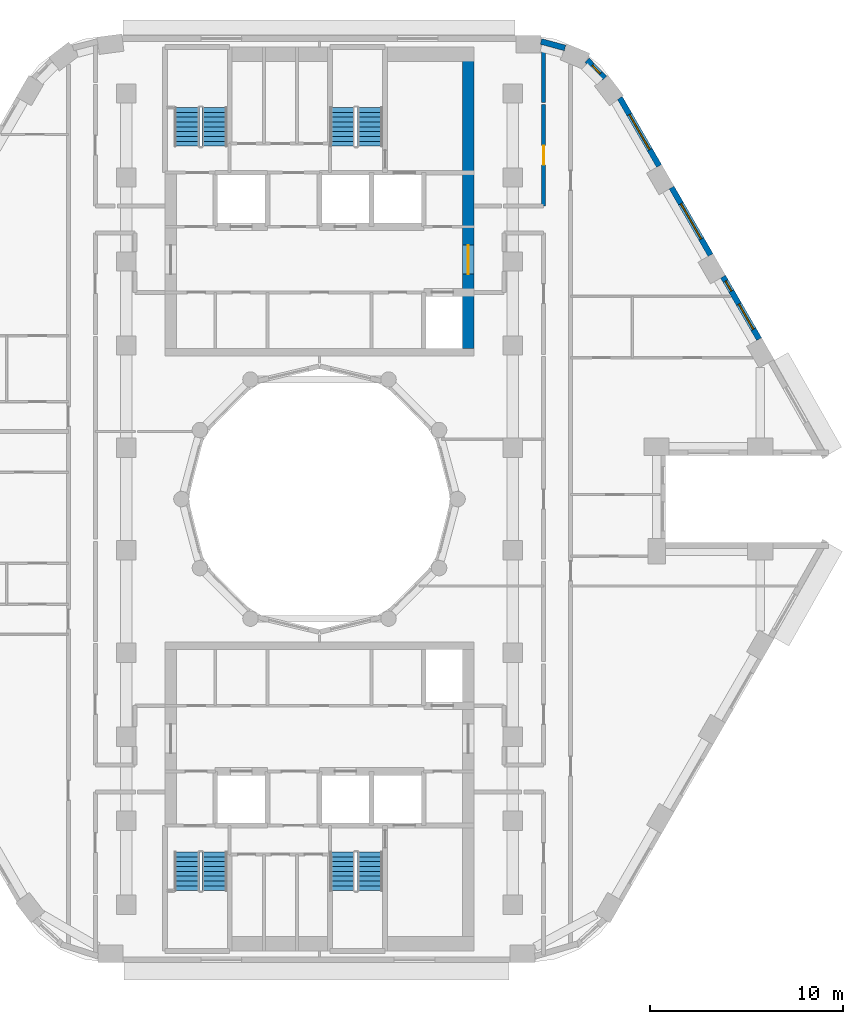
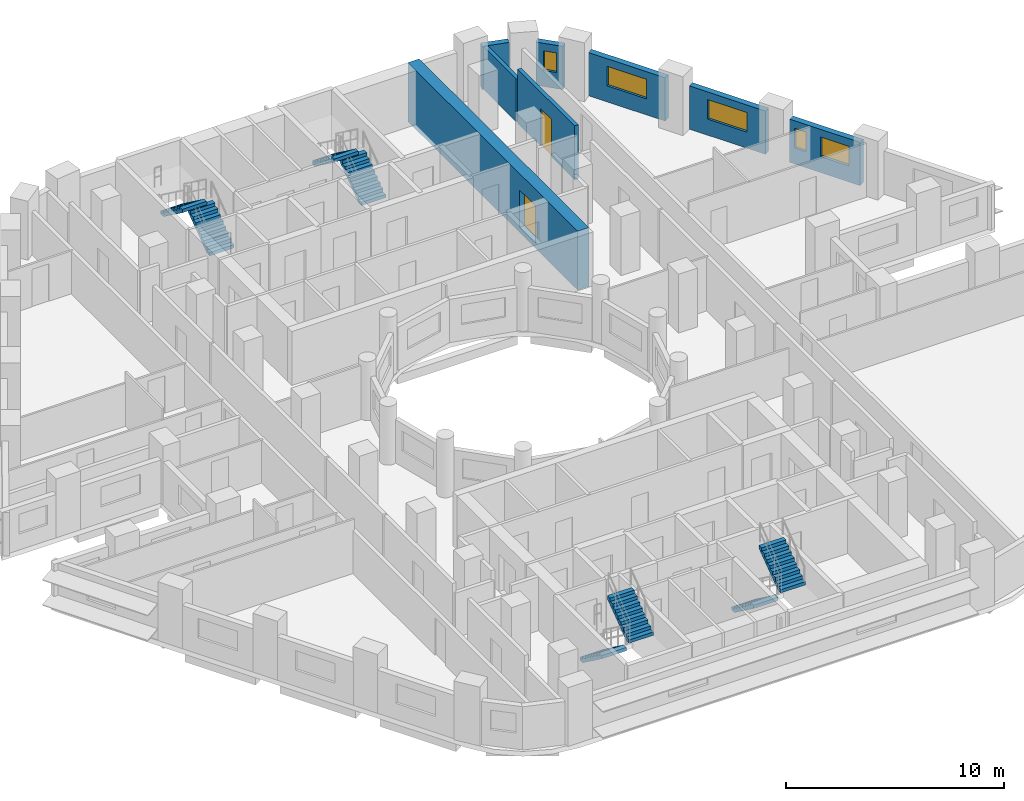
# One storey, part 9 of 13: 8 stair flights, 8 walls, 5 windows, 2 doors, 7 openings, 4 elements without a shape of their own.
"""IFC4 building model written with IfcOpenShell, lengths in metres."""

from ifc_helpers import new_model, si_unit, direction, frame, frame_2d, origin, place, context, subcontext, project, spatial, polyline, rectangle, outline, extrude, material, layer, layer_set, type_object, element, fill, aggregate, save


model = new_model("IFC4")

# Units and contexts
model_context = context("Model", 3, precision=1e-05, world=origin(), true_north=direction((0.0, 1.0)))
body_context = subcontext(model_context, "Body", "Model", "MODEL_VIEW")
ifc_project = project(units=[si_unit("LENGTHUNIT", "METRE"), si_unit("AREAUNIT", "SQUARE_METRE"), si_unit("VOLUMEUNIT", "CUBIC_METRE"), si_unit("PLANEANGLEUNIT", "RADIAN"), si_unit("MASSUNIT", "GRAM", prefix="KILO")], contexts=[model_context])

# Site, building, storey
site_placement = place(None, origin())
site = spatial("IfcSite", under=ifc_project, at=site_placement, CompositionType="ELEMENT")
building_placement = place(site_placement, origin())
building = spatial("IfcBuilding", under=site, at=building_placement, Name="Nakaniwa Court", CompositionType="ELEMENT")
storey_placement = place(building_placement, frame((0.0, 0.0, 140.39990234375)))
storey = spatial("IfcBuildingStorey", under=building, at=storey_placement, Name="L36", CompositionType="ELEMENT", Elevation=140.39990234375)

# Wall, opening, door
ifc_material_1 = material(Name="Acoustic double stud partition")
ifc_layer_1 = layer(ifc_material_1, 0.199951171875)
ifc_layer_set_1 = layer_set([ifc_layer_1], Name="Acoustic double stud partition")
wall_type_1 = type_object("IfcWallType", Name="Acoustic double stud partition 200", PredefinedType="PARTITIONING", material=ifc_layer_set_1)
wall_1_placement = place(storey_placement, frame((91.60009765625, 95.175048828125, 0.0), z_axis=(0.0, 0.0, 1.0), x_axis=(0.0, 1.0, 0.0)))
wall_1 = element("IfcWall", 1, at=wall_1_placement, inside=storey, type_object=wall_type_1, Name="Partition PW-077", PredefinedType="PARTITIONING", context=body_context, shape_type="SweptSolid", body=[
    extrude(rectangle(XDim=5.247802734375, YDim=0.199951171875, at=frame_2d((2.6240234375, 0.0))), origin(), (0.0, 0.0, 1.0), 3.025146484375),
])
opening_1_placement = place(wall_1_placement, frame((2.123046875, 0.0, 0.0)))
opening_1 = element("IfcOpeningElement", 2, at=opening_1_placement, cuts=wall_1, Name="Opening D-02-11", PredefinedType="OPENING", context=body_context, shape_type="SweptSolid", body=[
    extrude(rectangle(XDim=1.0, YDim=2.10009765625, at=frame_2d((0.5, 1.050048828125))), frame((0.0, 0.10986328125, 0.0), z_axis=(0.0, -1.0, 0.0), x_axis=(1.0, 0.0, 0.0)), (0.0, 0.0, 1.0), 0.219970703125),
])
ifc_material_2 = material(Name="Solid core timber door set, black veneer", Category="wood")
door_type_1 = type_object("IfcDoorType", Name="Internal door 1000", OperationType="NOTDEFINED", PredefinedType="DOOR", material=ifc_material_2)
door_1_placement = place(opening_1_placement, origin())
door_1 = element("IfcDoor", 3, at=door_1_placement, inside=storey, type_object=door_type_1, Name="Door D-02-11 L36-052", OperationType="SINGLE_SWING_LEFT", OverallHeight=2.10009765625, OverallWidth=1.0, PredefinedType="DOOR", context=body_context, shape_type="SweptSolid", body=[
    extrude(rectangle(XDim=1.0, YDim=2.10009765625, at=frame_2d((0.5, 1.050048828125))), frame((0.0, 0.02490234375, 0.0), z_axis=(0.0, -1.0, 0.0), x_axis=(1.0, 0.0, 0.0)), (0.0, 0.0, 1.0), 0.050048828125),
])
fill(opening_1, door_1)

# Wall
wall_2_placement = place(storey_placement, frame((91.60009765625, 100.537109375, 0.0), z_axis=(0.0, 0.0, 1.0), x_axis=(0.0, 1.0, 0.0)))
element("IfcWall", 4, at=wall_2_placement, inside=storey, type_object=wall_type_1, Name="Partition PW-078", PredefinedType="PARTITIONING", context=body_context, shape_type="SweptSolid", body=[
    extrude(rectangle(XDim=3.06201171875, YDim=0.199951171875, at=frame_2d((1.531005859375, 0.0))), origin(), (0.0, 0.0, 1.0), 2.405029296875),
])

# Wall, openings, windows
ifc_material_3 = material(Name="Charcoal ceramic cladding")
ifc_layer_2 = layer(ifc_material_3, 0.02, Name="Ceramic cladding")
ifc_material_4 = material(Name="Ventilated air cavity")
ifc_layer_3 = layer(ifc_material_4, 0.04, ventilated=True, Name="Ventilated cavity")
ifc_material_5 = material(Name="Mineral wool insulation")
ifc_layer_4 = layer(ifc_material_5, 0.1, Name="Insulation")
ifc_material_6 = material(Name="Cement bonded sheathing board")
ifc_layer_5 = layer(ifc_material_6, 0.012, Name="Sheathing")
ifc_material_7 = material(Name="Cold-formed galvanised stud frame with mineral wool infill")
ifc_layer_6 = layer(ifc_material_7, 0.1, Name="Stud frame")
ifc_material_8 = material(Name="Fire-rated gypsum plasterboard lining")
ifc_layer_7 = layer(ifc_material_8, 0.028, Name="Lining")
ifc_layer_set_2 = layer_set([ifc_layer_2, ifc_layer_3, ifc_layer_4, ifc_layer_5, ifc_layer_6, ifc_layer_7], Name="Charcoal ceramic faced external wall system")
wall_type_2 = type_object("IfcWallType", Name="Black ceramic faced external wall 300", PredefinedType="SOLIDWALL", material=ifc_layer_set_2)
wall_3_placement = place(storey_placement, frame((102.759521484375, 88.279052734375, 0.0), z_axis=(0.0, 0.0, 1.0), x_axis=(-0.499933594891, 0.866063739398, 0.0)))
wall_3 = element("IfcWall", 5, at=wall_3_placement, inside=storey, type_object=wall_type_2, Name="L36 external wall 03", PredefinedType="SOLIDWALL", context=body_context, shape_type="SweptSolid", body=[
    extrude(rectangle(XDim=3.73681640625, YDim=0.300048828125, at=frame_2d((1.868408203125, 0.0))), origin(), (0.0, 0.0, 1.0), 2.425048828125),
])
opening_2_placement = place(wall_3_placement, frame((0.59326171875, 0.0, 0.89990234375)))
opening_2 = element("IfcOpeningElement", 6, at=opening_2_placement, cuts=wall_3, Name="Opening W5.04", PredefinedType="OPENING", context=body_context, shape_type="SweptSolid", body=[
    extrude(rectangle(XDim=1.5, YDim=1.10009765625, at=frame_2d((0.75, 0.550048828125))), frame((0.0, 0.159912109375, 0.0), z_axis=(0.0, -1.0, 0.0), x_axis=(1.0, 0.0, 0.0)), (0.0, 0.0, 1.0), 0.320068359375),
])
opening_3_placement = place(wall_3_placement, frame((2.874755859375, 0.0, 0.89990234375)))
opening_3 = element("IfcOpeningElement", 7, at=opening_3_placement, cuts=wall_3, Name="Opening W8.05", PredefinedType="OPENING", context=body_context, shape_type="SweptSolid", body=[
    extrude(rectangle(XDim=0.60009765625, YDim=1.10009765625, at=frame_2d((0.300048828125, 0.550048828125))), frame((0.0, 0.159912109375, 0.0), z_axis=(0.0, -1.0, 0.0), x_axis=(1.0, 0.0, 0.0)), (0.0, 0.0, 1.0), 0.320068359375),
])
ifc_material_9 = material(Name="Black anodised aluminium frame with dark low-E laminated double glazing", Category="aluminium")
window_type_1 = type_object("IfcWindowType", Name="Dark glass window 1500x1100 sill 900", PartitioningType="SINGLE_PANEL", PredefinedType="WINDOW", material=ifc_material_9)
window_1_placement = place(opening_2_placement, origin())
window_1 = element("IfcWindow", 8, at=window_1_placement, inside=storey, type_object=window_type_1, Name="L36 habitable room window 03-0", OverallHeight=1.10009765625, OverallWidth=1.5, PartitioningType="SINGLE_PANEL", PredefinedType="WINDOW", context=body_context, shape_type="SweptSolid", body=[
    extrude(rectangle(XDim=1.5, YDim=1.10009765625, at=frame_2d((0.75, 0.550048828125))), frame((0.0, 0.030029296875, 0.0), z_axis=(0.0, -1.0, 0.0), x_axis=(1.0, 0.0, 0.0)), (0.0, 0.0, 1.0), 0.06005859375),
])
fill(opening_2, window_1)
window_type_2 = type_object("IfcWindowType", Name="Dark glass window 600x1100 sill 900", PartitioningType="SINGLE_PANEL", PredefinedType="WINDOW", material=ifc_material_9)
window_2_placement = place(opening_3_placement, origin())
window_2 = element("IfcWindow", 9, at=window_2_placement, inside=storey, type_object=window_type_2, Name="L36 habitable room window 03-1", OverallHeight=1.10009765625, OverallWidth=0.60009765625, PartitioningType="SINGLE_PANEL", PredefinedType="WINDOW", context=body_context, shape_type="SweptSolid", body=[
    extrude(rectangle(XDim=0.60009765625, YDim=1.10009765625, at=frame_2d((0.300048828125, 0.550048828125))), frame((0.0, 0.030029296875, 0.0), z_axis=(0.0, -1.0, 0.0), x_axis=(1.0, 0.0, 0.0)), (0.0, 0.0, 1.0), 0.06005859375),
])
fill(opening_3, window_2)

# Wall, opening, window
wall_4_placement = place(storey_placement, frame((100.245361328125, 92.63427734375, 0.0), z_axis=(0.0, 0.0, 1.0), x_axis=(-0.500031546601, 0.86600718958, 0.0)))
wall_4 = element("IfcWall", 10, at=wall_4_placement, inside=storey, type_object=wall_type_2, Name="L36 external wall 04", PredefinedType="SOLIDWALL", context=body_context, shape_type="SweptSolid", body=[
    extrude(rectangle(XDim=4.033935546875, YDim=0.300048828125, at=frame_2d((2.01708984375, 0.0))), origin(), (0.0, 0.0, 1.0), 2.425048828125),
])
opening_4_placement = place(wall_4_placement, frame((0.966796875, 0.0, 0.89990234375)))
opening_4 = element("IfcOpeningElement", 11, at=opening_4_placement, cuts=wall_4, Name="Opening W7.06", PredefinedType="OPENING", context=body_context, shape_type="SweptSolid", body=[
    extrude(rectangle(XDim=2.10009765625, YDim=1.10009765625, at=frame_2d((1.050048828125, 0.550048828125))), frame((0.0, 0.159912109375, 0.0), z_axis=(0.0, -1.0, 0.0), x_axis=(1.0, 0.0, 0.0)), (0.0, 0.0, 1.0), 0.320068359375),
])
window_type_3 = type_object("IfcWindowType", Name="Dark glass window 2100x1100 sill 900", PartitioningType="SINGLE_PANEL", PredefinedType="WINDOW", material=ifc_material_9)
window_3_placement = place(opening_4_placement, origin())
window_3 = element("IfcWindow", 12, at=window_3_placement, inside=storey, type_object=window_type_3, Name="L36 habitable room window 04-0", OverallHeight=1.10009765625, OverallWidth=2.10009765625, PartitioningType="SINGLE_PANEL", PredefinedType="WINDOW", context=body_context, shape_type="SweptSolid", body=[
    extrude(rectangle(XDim=2.10009765625, YDim=1.10009765625, at=frame_2d((1.050048828125, 0.550048828125))), frame((0.0, 0.030029296875, 0.0), z_axis=(0.0, -1.0, 0.0), x_axis=(1.0, 0.0, 0.0)), (0.0, 0.0, 1.0), 0.06005859375),
])
fill(opening_4, window_3)

wall_5_placement = place(storey_placement, frame((97.582275390625, 97.24658203125, 0.0), z_axis=(0.0, 0.0, 1.0), x_axis=(-0.500018589245, 0.866014671013, 0.0)))
wall_5 = element("IfcWall", 13, at=wall_5_placement, inside=storey, type_object=wall_type_2, Name="L36 external wall 05", PredefinedType="SOLIDWALL", context=body_context, shape_type="SweptSolid", body=[
    extrude(rectangle(XDim=4.067626953125, YDim=0.300048828125, at=frame_2d((2.03369140625, 0.0))), origin(), (0.0, 0.0, 1.0), 2.425048828125),
])
opening_5_placement = place(wall_5_placement, frame((0.97265625, 0.0, 0.89990234375)))
opening_5 = element("IfcOpeningElement", 14, at=opening_5_placement, cuts=wall_5, Name="Opening W7.07", PredefinedType="OPENING", context=body_context, shape_type="SweptSolid", body=[
    extrude(rectangle(XDim=2.10009765625, YDim=1.10009765625, at=frame_2d((1.050048828125, 0.550048828125))), frame((0.0, 0.159912109375, 0.0), z_axis=(0.0, -1.0, 0.0), x_axis=(1.0, 0.0, 0.0)), (0.0, 0.0, 1.0), 0.320068359375),
])
window_4_placement = place(opening_5_placement, origin())
window_4 = element("IfcWindow", 15, at=window_4_placement, inside=storey, type_object=window_type_3, Name="L36 habitable room window 05-0", OverallHeight=1.10009765625, OverallWidth=2.10009765625, PartitioningType="SINGLE_PANEL", PredefinedType="WINDOW", context=body_context, shape_type="SweptSolid", body=[
    extrude(rectangle(XDim=2.10009765625, YDim=1.10009765625, at=frame_2d((1.050048828125, 0.550048828125))), frame((0.0, 0.030029296875, 0.0), z_axis=(0.0, -1.0, 0.0), x_axis=(1.0, 0.0, 0.0)), (0.0, 0.0, 1.0), 0.06005859375),
])
fill(opening_5, window_4)

wall_6_placement = place(storey_placement, frame((94.76318359375, 101.79541015625, 0.0), z_axis=(0.0, 0.0, 1.0), x_axis=(-0.697598997785, 0.716488407645, 0.0)))
wall_6 = element("IfcWall", 16, at=wall_6_placement, inside=storey, type_object=wall_type_2, Name="L36 external wall 06", PredefinedType="SOLIDWALL", context=body_context, shape_type="SweptSolid", body=[
    extrude(rectangle(XDim=1.305419921875, YDim=0.300048828125, at=frame_2d((0.65283203125, 0.0))), origin(), (0.0, 0.0, 1.0), 2.425048828125),
])
opening_6_placement = place(wall_6_placement, frame((0.328125, 0.0, 0.89990234375)))
opening_6 = element("IfcOpeningElement", 17, at=opening_6_placement, cuts=wall_6, Name="Opening W8.08", PredefinedType="OPENING", context=body_context, shape_type="SweptSolid", body=[
    extrude(rectangle(XDim=0.60009765625, YDim=1.10009765625, at=frame_2d((0.300048828125, 0.550048828125))), frame((0.0, 0.159912109375, 0.0), z_axis=(0.0, -1.0, 0.0), x_axis=(1.0, 0.0, 0.0)), (0.0, 0.0, 1.0), 0.320068359375),
])
window_5_placement = place(opening_6_placement, origin())
window_5 = element("IfcWindow", 18, at=window_5_placement, inside=storey, type_object=window_type_2, Name="L36 habitable room window 06-0", OverallHeight=1.10009765625, OverallWidth=0.60009765625, PartitioningType="SINGLE_PANEL", PredefinedType="WINDOW", context=body_context, shape_type="SweptSolid", body=[
    extrude(rectangle(XDim=0.60009765625, YDim=1.10009765625, at=frame_2d((0.300048828125, 0.550048828125))), frame((0.0, 0.030029296875, 0.0), z_axis=(0.0, -1.0, 0.0), x_axis=(1.0, 0.0, 0.0)), (0.0, 0.0, 1.0), 0.06005859375),
])
fill(opening_6, window_5)

# Wall
wall_7_placement = place(storey_placement, frame((92.712890625, 103.3564453125, 0.0), z_axis=(0.0, 0.0, 1.0), x_axis=(-0.965274225809, 0.26123872031, 0.0)))
element("IfcWall", 19, at=wall_7_placement, inside=storey, type_object=wall_type_2, Name="L36 external wall 07", PredefinedType="SOLIDWALL", context=body_context, shape_type="SweptSolid", body=[
    extrude(rectangle(XDim=1.286865234375, YDim=0.300048828125, at=frame_2d((0.6435546875, 0.0))), origin(), (0.0, 0.0, 1.0), 2.425048828125),
])

# Wall, opening, door
ifc_material_10 = material(Name="Concrete C80/100", Category="concrete")
ifc_layer_8 = layer(ifc_material_10, 0.60009765625)
ifc_layer_set_3 = layer_set([ifc_layer_8], Name="Concrete C80/100")
wall_type_3 = type_object("IfcWallType", Name="Concrete core side wall 600 C80", PredefinedType="SHEAR", material=ifc_layer_set_3)
wall_8_placement = place(storey_placement, frame((87.699951171875, 103.39990234375, -0.27490234375), z_axis=(0.0, 0.0, 1.0), x_axis=(0.0, -1.0, 0.0)))
wall_8 = element("IfcWall", 20, at=wall_8_placement, inside=storey, type_object=wall_type_3, Name="Core wall SW-07", PredefinedType="SHEAR", context=body_context, shape_type="SweptSolid", body=[
    extrude(rectangle(XDim=15.599853515625, YDim=0.60009765625, at=frame_2d((7.7998046875, 0.0))), origin(), (0.0, 0.0, 1.0), 3.300048828125),
])
opening_7_placement = place(wall_8_placement, frame((10.248046875, 0.0, 0.27490234375)))
opening_7 = element("IfcOpeningElement", 21, at=opening_7_placement, cuts=wall_8, Name="Opening D-07-01", PredefinedType="OPENING", context=body_context, shape_type="SweptSolid", body=[
    extrude(rectangle(XDim=1.5, YDim=2.10009765625, at=frame_2d((0.75, 1.050048828125))), frame((0.0, 0.31005859375, 0.0), z_axis=(0.0, -1.0, 0.0), x_axis=(1.0, 0.0, 0.0)), (0.0, 0.0, 1.0), 0.6201171875),
])
ifc_material_11 = material(Name="Glazed fire rated steel double door set", Category="steel")
door_type_2 = type_object("IfcDoorType", Name="Lobby double door 1500", OperationType="NOTDEFINED", PredefinedType="DOOR", material=ifc_material_11)
door_2_placement = place(opening_7_placement, origin())
door_2 = element("IfcDoor", 22, at=door_2_placement, inside=storey, type_object=door_type_2, Name="Door D-07-01 L36-054", OperationType="DOUBLE_DOOR_SINGLE_SWING", OverallHeight=2.10009765625, OverallWidth=1.5, PredefinedType="DOOR", context=body_context, shape_type="SweptSolid", body=[
    extrude(rectangle(XDim=1.5, YDim=2.10009765625, at=frame_2d((0.75, 1.050048828125))), frame((0.0, 0.02490234375, 0.0), z_axis=(0.0, -1.0, 0.0), x_axis=(1.0, 0.0, 0.0)), (0.0, 0.0, 1.0), 0.050048828125),
])
fill(opening_7, door_2)

# Stair, stair flights
stair_type = type_object("IfcStairType", Name="Dog leg stair 1300 wide 18 risers", PredefinedType="HALF_TURN_STAIR", material=ifc_material_10)
stair_1_placement = place(storey_placement, origin())
stair_1 = element("IfcStair", 23, at=stair_1_placement, inside=storey, type_object=stair_type, Name="L36 Stair ST1", PredefinedType="HALF_TURN_STAIR")
stair_flight_type = type_object("IfcStairFlightType", Name="Stair flight 1300 wide 9 risers", PredefinedType="STRAIGHT", material=ifc_material_10)
stair_flight_1_placement = place(storey_placement, frame((74.574951171875, 98.27490234375, 0.0), z_axis=(0.0, 0.0, 1.0), x_axis=(0.0, 1.0, 0.0)))
stair_flight_1 = element("IfcStairFlight", 24, at=stair_flight_1_placement, type_object=stair_flight_type, Name="ST1 flight 1", NumberOfRisers=9, NumberOfTreads=8, PredefinedType="STRAIGHT", RiserHeight=0.183333333, TreadLength=0.25, context=body_context, shape_type="SweptSolid", body=[
    extrude(outline(polyline([(0.0, 0.0), (0.0, 0.026123046875), (0.0, 0.052490234375), (0.0, 0.07861328125), (0.0, 0.104736328125), (0.0, 0.130859375), (0.0, 0.1572265625), (0.0, 0.183349609375), (0.25, 0.183349609375), (0.25, 0.36669921875), (0.5, 0.36669921875), (0.5, 0.550048828125), (0.75, 0.550048828125), (0.75, 0.7333984375), (1.0, 0.7333984375), (1.0, 0.916748046875), (1.25, 0.916748046875), (1.25, 1.10009765625), (1.5, 1.10009765625), (1.5, 1.283447265625), (1.75, 1.283447265625), (1.75, 1.466552734375), (2.0, 1.466552734375), (2.0, 1.64990234375), (2.0, 1.59716796875), (2.0, 1.54443359375), (2.0, 1.49169921875), (2.0, 1.43896484375), (2.0, 1.38623046875), (2.0, 1.33349609375), (2.0, 1.28076171875), (0.25341796875, 0.0), (0.0, 0.0)])), frame((0.0, 0.64990234375, 0.0), z_axis=(0.0, -1.0, 0.0), x_axis=(1.0, 0.0, 0.0)), (0.0, 0.0, 1.0), 1.300048828125),
])
stair_flight_2_placement = place(storey_placement, frame((73.125, 100.27490234375, 1.650146484375), z_axis=(0.0, 0.0, 1.0), x_axis=(0.0, -1.0, 0.0)))
stair_flight_2 = element("IfcStairFlight", 25, at=stair_flight_2_placement, type_object=stair_flight_type, Name="ST1 flight 2", NumberOfRisers=9, NumberOfTreads=8, PredefinedType="STRAIGHT", RiserHeight=0.183333333, TreadLength=0.25, context=body_context, shape_type="SweptSolid", body=[
    extrude(outline(polyline([(0.0, 0.0), (0.0, 0.026123046875), (0.0, 0.052490234375), (0.0, 0.07861328125), (0.0, 0.104736328125), (0.0, 0.130859375), (0.0, 0.1572265625), (0.0, 0.183349609375), (0.25, 0.183349609375), (0.25, 0.36669921875), (0.5, 0.36669921875), (0.5, 0.550048828125), (0.75, 0.550048828125), (0.75, 0.7333984375), (1.0, 0.7333984375), (1.0, 0.916748046875), (1.25, 0.916748046875), (1.25, 1.10009765625), (1.5, 1.10009765625), (1.5, 1.283447265625), (1.75, 1.283447265625), (1.75, 1.466552734375), (2.0, 1.466552734375), (2.0, 1.64990234375), (2.0, 1.59716796875), (2.0, 1.54443359375), (2.0, 1.49169921875), (2.0, 1.43896484375), (2.0, 1.38623046875), (2.0, 1.33349609375), (2.0, 1.28076171875), (0.25341796875, 0.0), (0.0, 0.0)])), frame((0.0, 0.64990234375, 0.0), z_axis=(0.0, -1.0, 0.0), x_axis=(1.0, 0.0, 0.0)), (0.0, 0.0, 1.0), 1.300048828125),
])
aggregate(stair_1, [stair_flight_1, stair_flight_2])

stair_2_placement = place(storey_placement, origin())
stair_2 = element("IfcStair", 26, at=stair_2_placement, inside=storey, type_object=stair_type, Name="L36 Stair ST2", PredefinedType="HALF_TURN_STAIR")
stair_flight_3_placement = place(storey_placement, frame((82.625, 98.27490234375, 0.0), z_axis=(0.0, 0.0, 1.0), x_axis=(0.0, 1.0, 0.0)))
stair_flight_3 = element("IfcStairFlight", 27, at=stair_flight_3_placement, type_object=stair_flight_type, Name="ST2 flight 1", NumberOfRisers=9, NumberOfTreads=8, PredefinedType="STRAIGHT", RiserHeight=0.183333333, TreadLength=0.25, context=body_context, shape_type="SweptSolid", body=[
    extrude(outline(polyline([(0.0, 0.0), (0.0, 0.026123046875), (0.0, 0.052490234375), (0.0, 0.07861328125), (0.0, 0.104736328125), (0.0, 0.130859375), (0.0, 0.1572265625), (0.0, 0.183349609375), (0.25, 0.183349609375), (0.25, 0.36669921875), (0.5, 0.36669921875), (0.5, 0.550048828125), (0.75, 0.550048828125), (0.75, 0.7333984375), (1.0, 0.7333984375), (1.0, 0.916748046875), (1.25, 0.916748046875), (1.25, 1.10009765625), (1.5, 1.10009765625), (1.5, 1.283447265625), (1.75, 1.283447265625), (1.75, 1.466552734375), (2.0, 1.466552734375), (2.0, 1.64990234375), (2.0, 1.59716796875), (2.0, 1.54443359375), (2.0, 1.49169921875), (2.0, 1.43896484375), (2.0, 1.38623046875), (2.0, 1.33349609375), (2.0, 1.28076171875), (0.25341796875, 0.0), (0.0, 0.0)])), frame((0.0, 0.64990234375, 0.0), z_axis=(0.0, -1.0, 0.0), x_axis=(1.0, 0.0, 0.0)), (0.0, 0.0, 1.0), 1.300048828125),
])
stair_flight_4_placement = place(storey_placement, frame((81.175048828125, 100.27490234375, 1.650146484375), z_axis=(0.0, 0.0, 1.0), x_axis=(0.0, -1.0, 0.0)))
stair_flight_4 = element("IfcStairFlight", 28, at=stair_flight_4_placement, type_object=stair_flight_type, Name="ST2 flight 2", NumberOfRisers=9, NumberOfTreads=8, PredefinedType="STRAIGHT", RiserHeight=0.183333333, TreadLength=0.25, context=body_context, shape_type="SweptSolid", body=[
    extrude(outline(polyline([(0.0, 0.0), (0.0, 0.026123046875), (0.0, 0.052490234375), (0.0, 0.07861328125), (0.0, 0.104736328125), (0.0, 0.130859375), (0.0, 0.1572265625), (0.0, 0.183349609375), (0.25, 0.183349609375), (0.25, 0.36669921875), (0.5, 0.36669921875), (0.5, 0.550048828125), (0.75, 0.550048828125), (0.75, 0.7333984375), (1.0, 0.7333984375), (1.0, 0.916748046875), (1.25, 0.916748046875), (1.25, 1.10009765625), (1.5, 1.10009765625), (1.5, 1.283447265625), (1.75, 1.283447265625), (1.75, 1.466552734375), (2.0, 1.466552734375), (2.0, 1.64990234375), (2.0, 1.59716796875), (2.0, 1.54443359375), (2.0, 1.49169921875), (2.0, 1.43896484375), (2.0, 1.38623046875), (2.0, 1.33349609375), (2.0, 1.28076171875), (0.25341796875, 0.0), (0.0, 0.0)])), frame((0.0, 0.64990234375, 0.0), z_axis=(0.0, -1.0, 0.0), x_axis=(1.0, 0.0, 0.0)), (0.0, 0.0, 1.0), 1.300048828125),
])
aggregate(stair_2, [stair_flight_3, stair_flight_4])

stair_3_placement = place(storey_placement, origin())
stair_3 = element("IfcStair", 29, at=stair_3_placement, inside=storey, type_object=stair_type, Name="L36 Stair ST3", PredefinedType="HALF_TURN_STAIR")
stair_flight_5_placement = place(storey_placement, frame((73.125, 61.72509765625, 0.0), z_axis=(0.0, 0.0, 1.0), x_axis=(0.0, -1.0, 0.0)))
stair_flight_5 = element("IfcStairFlight", 30, at=stair_flight_5_placement, type_object=stair_flight_type, Name="ST3 flight 1", NumberOfRisers=9, NumberOfTreads=8, PredefinedType="STRAIGHT", RiserHeight=0.183333333, TreadLength=0.25, context=body_context, shape_type="SweptSolid", body=[
    extrude(outline(polyline([(0.0, 0.0), (0.0, 0.026123046875), (0.0, 0.052490234375), (0.0, 0.07861328125), (0.0, 0.104736328125), (0.0, 0.130859375), (0.0, 0.1572265625), (0.0, 0.183349609375), (0.25, 0.183349609375), (0.25, 0.36669921875), (0.5, 0.36669921875), (0.5, 0.550048828125), (0.75, 0.550048828125), (0.75, 0.7333984375), (1.0, 0.7333984375), (1.0, 0.916748046875), (1.25, 0.916748046875), (1.25, 1.10009765625), (1.5, 1.10009765625), (1.5, 1.283447265625), (1.75, 1.283447265625), (1.75, 1.466552734375), (2.0, 1.466552734375), (2.0, 1.64990234375), (2.0, 1.59716796875), (2.0, 1.54443359375), (2.0, 1.49169921875), (2.0, 1.43896484375), (2.0, 1.38623046875), (2.0, 1.33349609375), (2.0, 1.28076171875), (0.25341796875, 0.0), (0.0, 0.0)])), frame((0.0, 0.64990234375, 0.0), z_axis=(0.0, -1.0, 0.0), x_axis=(1.0, 0.0, 0.0)), (0.0, 0.0, 1.0), 1.300048828125),
])
stair_flight_6_placement = place(storey_placement, frame((74.574951171875, 59.72509765625, 1.650146484375), z_axis=(0.0, 0.0, 1.0), x_axis=(0.0, 1.0, 0.0)))
stair_flight_6 = element("IfcStairFlight", 31, at=stair_flight_6_placement, type_object=stair_flight_type, Name="ST3 flight 2", NumberOfRisers=9, NumberOfTreads=8, PredefinedType="STRAIGHT", RiserHeight=0.183333333, TreadLength=0.25, context=body_context, shape_type="SweptSolid", body=[
    extrude(outline(polyline([(0.0, 0.0), (0.0, 0.026123046875), (0.0, 0.052490234375), (0.0, 0.07861328125), (0.0, 0.104736328125), (0.0, 0.130859375), (0.0, 0.1572265625), (0.0, 0.183349609375), (0.25, 0.183349609375), (0.25, 0.36669921875), (0.5, 0.36669921875), (0.5, 0.550048828125), (0.75, 0.550048828125), (0.75, 0.7333984375), (1.0, 0.7333984375), (1.0, 0.916748046875), (1.25, 0.916748046875), (1.25, 1.10009765625), (1.5, 1.10009765625), (1.5, 1.283447265625), (1.75, 1.283447265625), (1.75, 1.466552734375), (2.0, 1.466552734375), (2.0, 1.64990234375), (2.0, 1.59716796875), (2.0, 1.54443359375), (2.0, 1.49169921875), (2.0, 1.43896484375), (2.0, 1.38623046875), (2.0, 1.33349609375), (2.0, 1.28076171875), (0.25341796875, 0.0), (0.0, 0.0)])), frame((0.0, 0.64990234375, 0.0), z_axis=(0.0, -1.0, 0.0), x_axis=(1.0, 0.0, 0.0)), (0.0, 0.0, 1.0), 1.300048828125),
])
aggregate(stair_3, [stair_flight_5, stair_flight_6])

stair_4_placement = place(storey_placement, origin())
stair_4 = element("IfcStair", 32, at=stair_4_placement, inside=storey, type_object=stair_type, Name="L36 Stair ST4", PredefinedType="HALF_TURN_STAIR")
stair_flight_7_placement = place(storey_placement, frame((81.175048828125, 61.72509765625, 0.0), z_axis=(0.0, 0.0, 1.0), x_axis=(0.0, -1.0, 0.0)))
stair_flight_7 = element("IfcStairFlight", 33, at=stair_flight_7_placement, type_object=stair_flight_type, Name="ST4 flight 1", NumberOfRisers=9, NumberOfTreads=8, PredefinedType="STRAIGHT", RiserHeight=0.183333333, TreadLength=0.25, context=body_context, shape_type="SweptSolid", body=[
    extrude(outline(polyline([(0.0, 0.0), (0.0, 0.026123046875), (0.0, 0.052490234375), (0.0, 0.07861328125), (0.0, 0.104736328125), (0.0, 0.130859375), (0.0, 0.1572265625), (0.0, 0.183349609375), (0.25, 0.183349609375), (0.25, 0.36669921875), (0.5, 0.36669921875), (0.5, 0.550048828125), (0.75, 0.550048828125), (0.75, 0.7333984375), (1.0, 0.7333984375), (1.0, 0.916748046875), (1.25, 0.916748046875), (1.25, 1.10009765625), (1.5, 1.10009765625), (1.5, 1.283447265625), (1.75, 1.283447265625), (1.75, 1.466552734375), (2.0, 1.466552734375), (2.0, 1.64990234375), (2.0, 1.59716796875), (2.0, 1.54443359375), (2.0, 1.49169921875), (2.0, 1.43896484375), (2.0, 1.38623046875), (2.0, 1.33349609375), (2.0, 1.28076171875), (0.25341796875, 0.0), (0.0, 0.0)])), frame((0.0, 0.64990234375, 0.0), z_axis=(0.0, -1.0, 0.0), x_axis=(1.0, 0.0, 0.0)), (0.0, 0.0, 1.0), 1.300048828125),
])
stair_flight_8_placement = place(storey_placement, frame((82.625, 59.72509765625, 1.650146484375), z_axis=(0.0, 0.0, 1.0), x_axis=(0.0, 1.0, 0.0)))
stair_flight_8 = element("IfcStairFlight", 34, at=stair_flight_8_placement, type_object=stair_flight_type, Name="ST4 flight 2", NumberOfRisers=9, NumberOfTreads=8, PredefinedType="STRAIGHT", RiserHeight=0.183333333, TreadLength=0.25, context=body_context, shape_type="SweptSolid", body=[
    extrude(outline(polyline([(0.0, 0.0), (0.0, 0.026123046875), (0.0, 0.052490234375), (0.0, 0.07861328125), (0.0, 0.104736328125), (0.0, 0.130859375), (0.0, 0.1572265625), (0.0, 0.183349609375), (0.25, 0.183349609375), (0.25, 0.36669921875), (0.5, 0.36669921875), (0.5, 0.550048828125), (0.75, 0.550048828125), (0.75, 0.7333984375), (1.0, 0.7333984375), (1.0, 0.916748046875), (1.25, 0.916748046875), (1.25, 1.10009765625), (1.5, 1.10009765625), (1.5, 1.283447265625), (1.75, 1.283447265625), (1.75, 1.466552734375), (2.0, 1.466552734375), (2.0, 1.64990234375), (2.0, 1.59716796875), (2.0, 1.54443359375), (2.0, 1.49169921875), (2.0, 1.43896484375), (2.0, 1.38623046875), (2.0, 1.33349609375), (2.0, 1.28076171875), (0.25341796875, 0.0), (0.0, 0.0)])), frame((0.0, 0.64990234375, 0.0), z_axis=(0.0, -1.0, 0.0), x_axis=(1.0, 0.0, 0.0)), (0.0, 0.0, 1.0), 1.300048828125),
])
aggregate(stair_4, [stair_flight_7, stair_flight_8])

save(model, "model.ifc")
